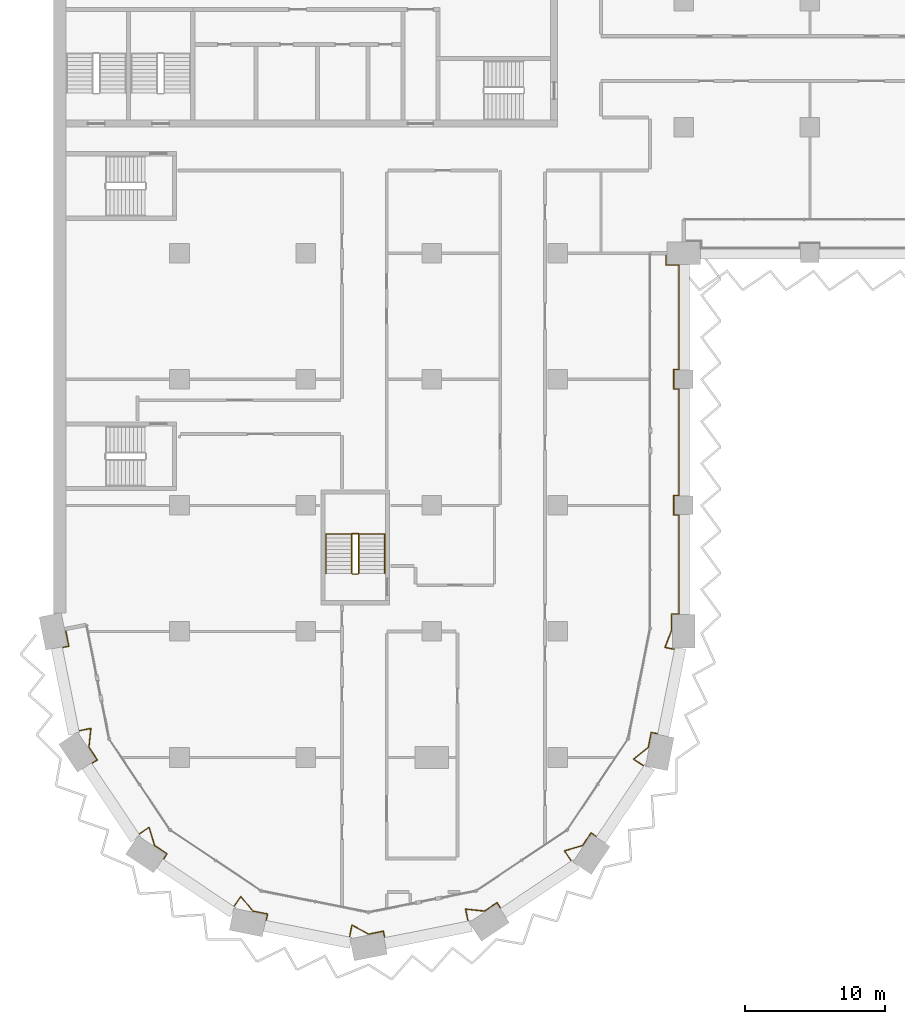
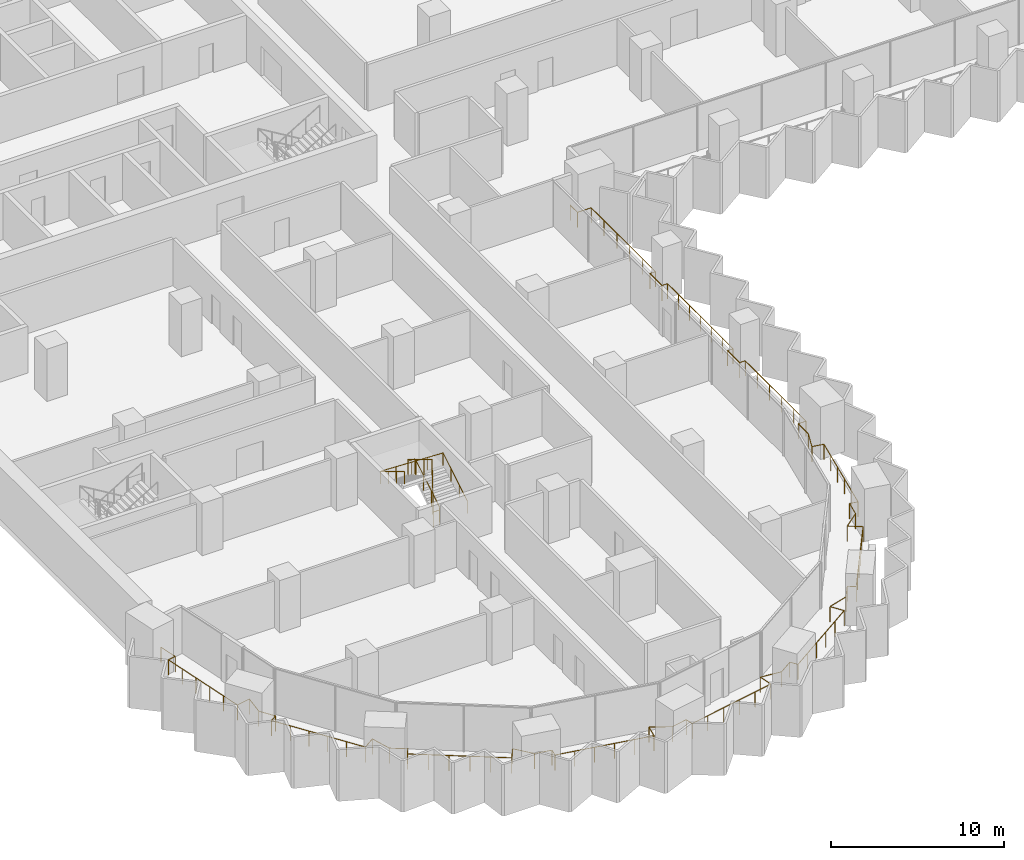
# One storey, part 24 of 28: 3 railings.
"""IFC4 building model written with IfcOpenShell, lengths in metres."""

from ifc_helpers import new_model, si_unit, direction, frame, origin, origin_2d, place, context, subcontext, project, spatial, circle, extrude, material, type_object, element, save


model = new_model("IFC4")

# Units and contexts
model_context = context("Model", 3, precision=1e-05, world=origin(), true_north=direction((0.0, 1.0)))
body_context = subcontext(model_context, "Body", "Model", "MODEL_VIEW")
ifc_project = project(units=[si_unit("LENGTHUNIT", "METRE"), si_unit("AREAUNIT", "SQUARE_METRE"), si_unit("VOLUMEUNIT", "CUBIC_METRE"), si_unit("PLANEANGLEUNIT", "RADIAN"), si_unit("MASSUNIT", "GRAM", prefix="KILO")], contexts=[model_context])

# Site, building, storey
site_placement = place(None, origin())
site = spatial("IfcSite", under=ifc_project, at=site_placement, CompositionType="ELEMENT")
building_placement = place(site_placement, origin())
building = spatial("IfcBuilding", under=site, at=building_placement, Name="Hunhe Ridgeline Campus", CompositionType="ELEMENT")
storey_placement = place(building_placement, frame((0.0, 0.0, 58.0)))
storey = spatial("IfcBuildingStorey", under=building, at=storey_placement, Name="L13", CompositionType="ELEMENT", Elevation=58.0)

# Railings
ifc_material_1 = material(Name="Steel Q355", Category="steel")
railing_type_1 = type_object("IfcRailingType", Name="Loggia guard 1100 Steel Q355", PredefinedType="GUARDRAIL", material=ifc_material_1)
railing_1_placement = place(storey_placement, frame((0.853271484375, 27.169677734375, 0.0)))
element("IfcRailing", 1, at=railing_1_placement, inside=storey, type_object=railing_type_1, Name="Loggia guard 1", PredefinedType="GUARDRAIL", context=body_context, shape_type="SweptSolid", body=[
    extrude(circle(Radius=0.02392578125, at=origin_2d()), frame((0.0, 0.0, 1.076171875), z_axis=(0.195139364365, -0.980775523999, 0.0), x_axis=(0.980775523999, 0.195139364365, 0.0)), (0.0, 0.0, 1.0), 1.249755859375),
    extrude(circle(Radius=0.02392578125, at=origin_2d()), frame((0.243896484375, -1.225830078125, 1.076171875), z_axis=(-0.980742851189, -0.195303506986, 0.0), x_axis=(0.195303506986, -0.980742851189, 0.0)), (0.0, 0.0, 1.0), 0.52001953125),
    extrude(circle(Radius=0.02392578125, at=origin_2d()), frame((-0.26611328125, -1.327392578125, 1.076171875), z_axis=(0.195094074844, -0.980784533912, 0.0), x_axis=(0.980784533912, 0.195094074844, 0.0)), (0.0, 0.0, 1.0), 6.064208984375),
    extrude(circle(Radius=0.02392578125, at=origin_2d()), frame((0.9169921875, -7.275146484375, 1.076171875), z_axis=(0.980774480174, 0.195144610585, 0.0), x_axis=(-0.195144610585, 0.980774480174, 0.0)), (0.0, 0.0, 1.0), 0.918212890625),
    extrude(circle(Radius=0.02392578125, at=origin_2d()), frame((1.817626953125, -7.095947265625, 1.076171875), z_axis=(-0.102578746514, -0.994724886973, 0.0), x_axis=(0.994724886973, -0.102578746514, 0.0)), (0.0, 0.0, 1.0), 1.351806640625),
    extrude(circle(Radius=0.02392578125, at=origin_2d()), frame((1.678955078125, -8.440673828125, 1.076171875), z_axis=(0.555693885997, -0.831386976724, 0.0), x_axis=(0.831386976724, 0.555693885997, 0.0)), (0.0, 0.0, 1.0), 1.076904296875),
    extrude(circle(Radius=0.02392578125, at=origin_2d()), frame((2.27734375, -9.3359375, 1.076171875), z_axis=(-0.831327417949, -0.555782982977, 0.0), x_axis=(0.555782982977, -0.831327417949, 0.0)), (0.0, 0.0, 1.0), 0.52001953125),
    extrude(circle(Radius=0.02392578125, at=origin_2d()), frame((1.844970703125, -9.625, 1.076171875), z_axis=(0.55557319973, -0.831467630002, 0.0), x_axis=(0.831467630002, 0.55557319973, 0.0)), (0.0, 0.0, 1.0), 6.064208984375),
    extrude(circle(Radius=0.02392578125, at=origin_2d()), frame((5.214111328125, -14.667236328125, 1.076171875), z_axis=(0.831395250422, 0.555681507318, 0.0), x_axis=(-0.555681507318, 0.831395250422, 0.0)), (0.0, 0.0, 1.0), 0.918212890625),
    extrude(circle(Radius=0.02392578125, at=origin_2d()), frame((5.9775390625, -14.156982421875, 1.076171875), z_axis=(0.285889499126, -0.958262591511, 0.0), x_axis=(0.958262591511, 0.285889499126, 0.0)), (0.0, 0.0, 1.0), 1.351806640625),
    extrude(circle(Radius=0.02392578125, at=origin_2d()), frame((6.364013671875, -15.452392578125, 1.076171875), z_axis=(0.831456967492, -0.555589156849, 0.0), x_axis=(0.555589156849, 0.831456967492, 0.0)), (0.0, 0.0, 1.0), 1.0771484375),
    extrude(circle(Radius=0.02392578125, at=origin_2d()), frame((7.259521484375, -16.05078125, 1.076171875), z_axis=(-0.555675381322, -0.831399344835, 0.0), x_axis=(0.831399344835, -0.555675381322, 0.0)), (0.0, 0.0, 1.0), 0.519775390625),
    extrude(circle(Radius=0.02392578125, at=origin_2d()), frame((6.970703125, -16.48291015625, 1.076171875), z_axis=(0.831467630002, -0.55557319973, 0.0), x_axis=(0.55557319973, 0.831467630002, 0.0)), (0.0, 0.0, 1.0), 6.064208984375),
    extrude(circle(Radius=0.02392578125, at=origin_2d()), frame((12.012939453125, -19.85205078125, 1.076171875), z_axis=(0.555497688072, 0.831518080709, 0.0), x_axis=(-0.831518080709, 0.555497688072, 0.0)), (0.0, 0.0, 1.0), 0.918212890625),
    extrude(circle(Radius=0.02392578125, at=origin_2d()), frame((12.52294921875, -19.088623046875, 1.076171875), z_axis=(0.630864561128, -0.775892972976, 0.0), x_axis=(0.775892972976, 0.630864561128, 0.0)), (0.0, 0.0, 1.0), 1.351806640625),
    extrude(circle(Radius=0.02392578125, at=origin_2d()), frame((13.375732421875, -20.137451171875, 1.076171875), z_axis=(0.980771998786, -0.195157081339, 0.0), x_axis=(0.195157081339, 0.980771998786, 0.0)), (0.0, 0.0, 1.0), 1.0771484375),
    extrude(circle(Radius=0.02392578125, at=origin_2d()), frame((14.43212890625, -20.34765625, 1.076171875), z_axis=(-0.195303506986, -0.980742851189, 0.0), x_axis=(0.980742851189, -0.195303506986, 0.0)), (0.0, 0.0, 1.0), 0.52001953125),
    extrude(circle(Radius=0.02392578125, at=origin_2d()), frame((14.33056640625, -20.857666015625, 1.076171875), z_axis=(0.980792236535, -0.195055347919, 0.0), x_axis=(0.195055347919, 0.980792236535, 0.0)), (0.0, 0.0, 1.0), 6.064208984375),
    extrude(circle(Radius=0.02392578125, at=origin_2d()), frame((20.2783203125, -22.04052734375, 1.076171875), z_axis=(0.195144610585, 0.980774480174, 0.0), x_axis=(-0.980774480174, 0.195144610585, 0.0)), (0.0, 0.0, 1.0), 0.918212890625),
    extrude(circle(Radius=0.02392578125, at=origin_2d()), frame((20.45751953125, -21.139892578125, 1.076171875), z_axis=(0.879704471732, -0.475520811757, 0.0), x_axis=(0.475520811757, 0.879704471732, 0.0)), (0.0, 0.0, 1.0), 1.351806640625),
    extrude(circle(Radius=0.02392578125, at=origin_2d()), frame((21.646728515625, -21.78271484375, 1.076171875), z_axis=(0.980763363144, 0.195200475189, 0.0), x_axis=(-0.195200475189, 0.980763363144, 0.0)), (0.0, 0.0, 1.0), 1.076904296875),
    extrude(circle(Radius=0.02392578125, at=origin_2d()), frame((22.702880859375, -21.572509765625, 1.076171875), z_axis=(0.195303506986, -0.980742851189, 0.0), x_axis=(0.980742851189, 0.195303506986, 0.0)), (0.0, 0.0, 1.0), 0.52001953125),
    extrude(circle(Radius=0.02392578125, at=origin_2d()), frame((22.804443359375, -22.08251953125, 1.076171875), z_axis=(0.980784533912, 0.195094074844, 0.0), x_axis=(-0.195094074844, 0.980784533912, 0.0)), (0.0, 0.0, 1.0), 6.064208984375),
    extrude(circle(Radius=0.02392578125, at=origin_2d()), frame((28.752197265625, -20.8994140625, 1.076171875), z_axis=(-0.195144610585, 0.980774480174, 0.0), x_axis=(-0.980774480174, -0.195144610585, 0.0)), (0.0, 0.0, 1.0), 0.918212890625),
    extrude(circle(Radius=0.02392578125, at=origin_2d()), frame((28.572998046875, -19.998779296875, 1.076171875), z_axis=(0.994724886973, -0.102578746514, 0.0), x_axis=(0.102578746514, 0.994724886973, 0.0)), (0.0, 0.0, 1.0), 1.351806640625),
    extrude(circle(Radius=0.02392578125, at=origin_2d()), frame((29.917724609375, -20.137451171875, 1.076171875), z_axis=(0.831386976724, 0.555693885997, 0.0), x_axis=(-0.555693885997, 0.831386976724, 0.0)), (0.0, 0.0, 1.0), 1.076904296875),
    extrude(circle(Radius=0.02392578125, at=origin_2d()), frame((30.81298828125, -19.5390625, 1.076171875), z_axis=(0.555782982977, -0.831327417949, 0.0), x_axis=(0.831327417949, 0.555782982977, 0.0)), (0.0, 0.0, 1.0), 0.52001953125),
    extrude(circle(Radius=0.02392578125, at=origin_2d()), frame((31.10205078125, -19.971435546875, 1.076171875), z_axis=(0.831467630002, 0.55557319973, 0.0), x_axis=(-0.55557319973, 0.831467630002, 0.0)), (0.0, 0.0, 1.0), 6.064208984375),
    extrude(circle(Radius=0.02392578125, at=origin_2d()), frame((36.144287109375, -16.602294921875, 1.076171875), z_axis=(-0.555681507318, 0.831395250422, 0.0), x_axis=(-0.831395250422, -0.555681507318, 0.0)), (0.0, 0.0, 1.0), 0.918212890625),
    extrude(circle(Radius=0.02392578125, at=origin_2d()), frame((35.634033203125, -15.8388671875, 1.076171875), z_axis=(0.958262591511, 0.285889499126, 0.0), x_axis=(-0.285889499126, 0.958262591511, 0.0)), (0.0, 0.0, 1.0), 1.351806640625),
    extrude(circle(Radius=0.02392578125, at=origin_2d()), frame((36.929443359375, -15.452392578125, 1.076171875), z_axis=(0.555589156849, 0.831456967492, 0.0), x_axis=(-0.831456967492, 0.555589156849, 0.0)), (0.0, 0.0, 1.0), 1.0771484375),
    extrude(circle(Radius=0.02392578125, at=origin_2d()), frame((37.52783203125, -14.556884765625, 1.076171875), z_axis=(0.831399344835, -0.555675381322, 0.0), x_axis=(0.555675381322, 0.831399344835, 0.0)), (0.0, 0.0, 1.0), 0.519775390625),
    extrude(circle(Radius=0.02392578125, at=origin_2d()), frame((37.9599609375, -14.845703125, 1.076171875), z_axis=(0.55557319973, 0.831467630002, 0.0), x_axis=(-0.831467630002, 0.55557319973, 0.0)), (0.0, 0.0, 1.0), 6.064208984375),
    extrude(circle(Radius=0.02392578125, at=origin_2d()), frame((41.3291015625, -9.803466796875, 1.076171875), z_axis=(-0.831518080709, 0.555497688072, 0.0), x_axis=(-0.555497688072, -0.831518080709, 0.0)), (0.0, 0.0, 1.0), 0.918212890625),
    extrude(circle(Radius=0.02392578125, at=origin_2d()), frame((40.565673828125, -9.29345703125, 1.076171875), z_axis=(0.775892972976, 0.630864561128, 0.0), x_axis=(-0.630864561128, 0.775892972976, 0.0)), (0.0, 0.0, 1.0), 1.351806640625),
    extrude(circle(Radius=0.02392578125, at=origin_2d()), frame((41.614501953125, -8.440673828125, 1.076171875), z_axis=(0.195157081339, 0.980771998786, 0.0), x_axis=(-0.980771998786, 0.195157081339, 0.0)), (0.0, 0.0, 1.0), 1.0771484375),
    extrude(circle(Radius=0.02392578125, at=origin_2d()), frame((41.82470703125, -7.38427734375, 1.076171875), z_axis=(0.980742851189, -0.195303506986, 0.0), x_axis=(0.195303506986, 0.980742851189, 0.0)), (0.0, 0.0, 1.0), 0.52001953125),
    extrude(circle(Radius=0.02392578125, at=origin_2d()), frame((42.334716796875, -7.48583984375, 1.076171875), z_axis=(0.19507712928, 0.980787904509, 0.0), x_axis=(-0.980787904509, 0.19507712928, 0.0)), (0.0, 0.0, 1.0), 6.146240234375),
    extrude(circle(Radius=0.02392578125, at=origin_2d()), frame((43.53369140625, -1.457763671875, 1.076171875), z_axis=(-0.980808789294, 0.194972097602, 0.0), x_axis=(-0.194972097602, -0.980808789294, 0.0)), (0.0, 0.0, 1.0), 0.73876953125),
    extrude(circle(Radius=0.02392578125, at=origin_2d()), frame((42.80908203125, -1.313720703125, 1.076171875), z_axis=(0.35537018301, 0.93472564586, 0.0), x_axis=(-0.93472564586, 0.35537018301, 0.0)), (0.0, 0.0, 1.0), 1.315673828125),
    extrude(circle(Radius=0.02392578125, at=origin_2d()), frame((43.276611328125, -0.083984375, 1.076171875), z_axis=(0.0, 1.0, 0.0), x_axis=(-1.0, 0.0, 0.0)), (0.0, 0.0, 1.0), 1.164306640625),
    extrude(circle(Radius=0.02392578125, at=origin_2d()), frame((43.276611328125, 1.080322265625, 1.076171875), z_axis=(1.0, 0.0, 0.0), x_axis=(0.0, 1.0, 0.0)), (0.0, 0.0, 1.0), 0.52001953125),
    extrude(circle(Radius=0.02392578125, at=origin_2d()), frame((43.796630859375, 1.080322265625, 1.076171875), z_axis=(0.0, 1.0, 0.0), x_axis=(-1.0, 0.0, 0.0)), (0.0, 0.0, 1.0), 7.050048828125),
    extrude(circle(Radius=0.02392578125, at=origin_2d()), frame((43.796630859375, 8.13037109375, 1.076171875), z_axis=(-1.0, 0.0, 0.0), x_axis=(0.0, -1.0, 0.0)), (0.0, 0.0, 1.0), 0.369873046875),
    extrude(circle(Radius=0.02392578125, at=origin_2d()), frame((43.4267578125, 8.13037109375, 1.076171875), z_axis=(0.0, 1.0, 0.0), x_axis=(-1.0, 0.0, 0.0)), (0.0, 0.0, 1.0), 1.39990234375),
    extrude(circle(Radius=0.02392578125, at=origin_2d()), frame((43.4267578125, 9.5302734375, 1.076171875), z_axis=(1.0, 0.0, 0.0), x_axis=(0.0, 1.0, 0.0)), (0.0, 0.0, 1.0), 0.369873046875),
    extrude(circle(Radius=0.02392578125, at=origin_2d()), frame((43.796630859375, 9.5302734375, 1.076171875), z_axis=(0.0, 1.0, 0.0), x_axis=(-1.0, 0.0, 0.0)), (0.0, 0.0, 1.0), 7.60009765625),
    extrude(circle(Radius=0.02392578125, at=origin_2d()), frame((43.796630859375, 17.13037109375, 1.076171875), z_axis=(-1.0, 0.0, 0.0), x_axis=(0.0, -1.0, 0.0)), (0.0, 0.0, 1.0), 0.369873046875),
    extrude(circle(Radius=0.02392578125, at=origin_2d()), frame((43.4267578125, 17.13037109375, 1.076171875), z_axis=(0.0, 1.0, 0.0), x_axis=(-1.0, 0.0, 0.0)), (0.0, 0.0, 1.0), 1.39990234375),
    extrude(circle(Radius=0.02392578125, at=origin_2d()), frame((43.4267578125, 18.5302734375, 1.076171875), z_axis=(1.0, 0.0, 0.0), x_axis=(0.0, 1.0, 0.0)), (0.0, 0.0, 1.0), 0.369873046875),
    extrude(circle(Radius=0.02392578125, at=origin_2d()), frame((43.796630859375, 18.5302734375, 1.076171875), z_axis=(0.0, 1.0, 0.0), x_axis=(-1.0, 0.0, 0.0)), (0.0, 0.0, 1.0), 7.449951171875),
    extrude(circle(Radius=0.02392578125, at=origin_2d()), frame((43.796630859375, 25.980224609375, 1.076171875), z_axis=(-1.0, 0.0, 0.0), x_axis=(0.0, -1.0, 0.0)), (0.0, 0.0, 1.0), 0.919921875),
    extrude(circle(Radius=0.02392578125, at=origin_2d()), frame((42.876708984375, 25.980224609375, 1.076171875), z_axis=(0.0, 1.0, 0.0), x_axis=(-1.0, 0.0, 0.0)), (0.0, 0.0, 1.0), 0.85009765625),
    extrude(circle(Radius=0.02099609375, at=origin_2d()), origin(), (0.0, 0.0, 1.0), 1.052001953125),
    extrude(circle(Radius=0.02099609375, at=origin_2d()), frame((0.243896484375, -1.225830078125, 0.0)), (0.0, 0.0, 1.0), 1.052001953125),
    extrude(circle(Radius=0.02099609375, at=origin_2d()), frame((-0.26611328125, -1.327392578125, 0.0)), (0.0, 0.0, 1.0), 1.052001953125),
    extrude(circle(Radius=0.02099609375, at=origin_2d()), frame((-0.029541015625, -2.516845703125, 0.0)), (0.0, 0.0, 1.0), 1.052001953125),
    extrude(circle(Radius=0.02099609375, at=origin_2d()), frame((0.20703125, -3.70654296875, 0.0)), (0.0, 0.0, 1.0), 1.052001953125),
    extrude(circle(Radius=0.02099609375, at=origin_2d()), frame((0.44384765625, -4.89599609375, 0.0)), (0.0, 0.0, 1.0), 1.052001953125),
    extrude(circle(Radius=0.02099609375, at=origin_2d()), frame((0.680419921875, -6.085693359375, 0.0)), (0.0, 0.0, 1.0), 1.052001953125),
    extrude(circle(Radius=0.02099609375, at=origin_2d()), frame((0.9169921875, -7.275146484375, 0.0)), (0.0, 0.0, 1.0), 1.052001953125),
    extrude(circle(Radius=0.02099609375, at=origin_2d()), frame((1.817626953125, -7.095947265625, 0.0)), (0.0, 0.0, 1.0), 1.052001953125),
    extrude(circle(Radius=0.02099609375, at=origin_2d()), frame((1.678955078125, -8.440673828125, 0.0)), (0.0, 0.0, 1.0), 1.052001953125),
    extrude(circle(Radius=0.02099609375, at=origin_2d()), frame((2.27734375, -9.3359375, 0.0)), (0.0, 0.0, 1.0), 1.052001953125),
    extrude(circle(Radius=0.02099609375, at=origin_2d()), frame((1.844970703125, -9.625, 0.0)), (0.0, 0.0, 1.0), 1.052001953125),
    extrude(circle(Radius=0.02099609375, at=origin_2d()), frame((2.518798828125, -10.633544921875, 0.0)), (0.0, 0.0, 1.0), 1.052001953125),
    extrude(circle(Radius=0.02099609375, at=origin_2d()), frame((3.192626953125, -11.641845703125, 0.0)), (0.0, 0.0, 1.0), 1.052001953125),
    extrude(circle(Radius=0.02099609375, at=origin_2d()), frame((3.866455078125, -12.650390625, 0.0)), (0.0, 0.0, 1.0), 1.052001953125),
    extrude(circle(Radius=0.02099609375, at=origin_2d()), frame((4.540283203125, -13.65869140625, 0.0)), (0.0, 0.0, 1.0), 1.052001953125),
    extrude(circle(Radius=0.02099609375, at=origin_2d()), frame((5.214111328125, -14.667236328125, 0.0)), (0.0, 0.0, 1.0), 1.052001953125),
    extrude(circle(Radius=0.02099609375, at=origin_2d()), frame((5.9775390625, -14.156982421875, 0.0)), (0.0, 0.0, 1.0), 1.052001953125),
    extrude(circle(Radius=0.02099609375, at=origin_2d()), frame((6.364013671875, -15.452392578125, 0.0)), (0.0, 0.0, 1.0), 1.052001953125),
    extrude(circle(Radius=0.02099609375, at=origin_2d()), frame((7.259521484375, -16.05078125, 0.0)), (0.0, 0.0, 1.0), 1.052001953125),
    extrude(circle(Radius=0.02099609375, at=origin_2d()), frame((6.970703125, -16.48291015625, 0.0)), (0.0, 0.0, 1.0), 1.052001953125),
    extrude(circle(Radius=0.02099609375, at=origin_2d()), frame((7.979248046875, -17.15673828125, 0.0)), (0.0, 0.0, 1.0), 1.052001953125),
    extrude(circle(Radius=0.02099609375, at=origin_2d()), frame((8.987548828125, -17.83056640625, 0.0)), (0.0, 0.0, 1.0), 1.052001953125),
    extrude(circle(Radius=0.02099609375, at=origin_2d()), frame((9.99609375, -18.50439453125, 0.0)), (0.0, 0.0, 1.0), 1.052001953125),
    extrude(circle(Radius=0.02099609375, at=origin_2d()), frame((11.00439453125, -19.17822265625, 0.0)), (0.0, 0.0, 1.0), 1.052001953125),
    extrude(circle(Radius=0.02099609375, at=origin_2d()), frame((12.012939453125, -19.85205078125, 0.0)), (0.0, 0.0, 1.0), 1.052001953125),
    extrude(circle(Radius=0.02099609375, at=origin_2d()), frame((12.52294921875, -19.088623046875, 0.0)), (0.0, 0.0, 1.0), 1.052001953125),
    extrude(circle(Radius=0.02099609375, at=origin_2d()), frame((13.375732421875, -20.137451171875, 0.0)), (0.0, 0.0, 1.0), 1.052001953125),
    extrude(circle(Radius=0.02099609375, at=origin_2d()), frame((14.43212890625, -20.34765625, 0.0)), (0.0, 0.0, 1.0), 1.052001953125),
    extrude(circle(Radius=0.02099609375, at=origin_2d()), frame((14.33056640625, -20.857666015625, 0.0)), (0.0, 0.0, 1.0), 1.052001953125),
    extrude(circle(Radius=0.02099609375, at=origin_2d()), frame((15.52001953125, -21.09423828125, 0.0)), (0.0, 0.0, 1.0), 1.052001953125),
    extrude(circle(Radius=0.02099609375, at=origin_2d()), frame((16.709716796875, -21.330810546875, 0.0)), (0.0, 0.0, 1.0), 1.052001953125),
    extrude(circle(Radius=0.02099609375, at=origin_2d()), frame((17.899169921875, -21.5673828125, 0.0)), (0.0, 0.0, 1.0), 1.052001953125),
    extrude(circle(Radius=0.02099609375, at=origin_2d()), frame((19.0888671875, -21.803955078125, 0.0)), (0.0, 0.0, 1.0), 1.052001953125),
    extrude(circle(Radius=0.02099609375, at=origin_2d()), frame((20.2783203125, -22.04052734375, 0.0)), (0.0, 0.0, 1.0), 1.052001953125),
    extrude(circle(Radius=0.02099609375, at=origin_2d()), frame((20.45751953125, -21.139892578125, 0.0)), (0.0, 0.0, 1.0), 1.052001953125),
    extrude(circle(Radius=0.02099609375, at=origin_2d()), frame((21.646728515625, -21.78271484375, 0.0)), (0.0, 0.0, 1.0), 1.052001953125),
    extrude(circle(Radius=0.02099609375, at=origin_2d()), frame((22.702880859375, -21.572509765625, 0.0)), (0.0, 0.0, 1.0), 1.052001953125),
    extrude(circle(Radius=0.02099609375, at=origin_2d()), frame((22.804443359375, -22.08251953125, 0.0)), (0.0, 0.0, 1.0), 1.052001953125),
    extrude(circle(Radius=0.02099609375, at=origin_2d()), frame((23.993896484375, -21.845947265625, 0.0)), (0.0, 0.0, 1.0), 1.052001953125),
    extrude(circle(Radius=0.02099609375, at=origin_2d()), frame((25.18359375, -21.609375, 0.0)), (0.0, 0.0, 1.0), 1.052001953125),
    extrude(circle(Radius=0.02099609375, at=origin_2d()), frame((26.373046875, -21.37255859375, 0.0)), (0.0, 0.0, 1.0), 1.052001953125),
    extrude(circle(Radius=0.02099609375, at=origin_2d()), frame((27.562744140625, -21.135986328125, 0.0)), (0.0, 0.0, 1.0), 1.052001953125),
    extrude(circle(Radius=0.02099609375, at=origin_2d()), frame((28.752197265625, -20.8994140625, 0.0)), (0.0, 0.0, 1.0), 1.052001953125),
    extrude(circle(Radius=0.02099609375, at=origin_2d()), frame((28.572998046875, -19.998779296875, 0.0)), (0.0, 0.0, 1.0), 1.052001953125),
    extrude(circle(Radius=0.02099609375, at=origin_2d()), frame((29.917724609375, -20.137451171875, 0.0)), (0.0, 0.0, 1.0), 1.052001953125),
    extrude(circle(Radius=0.02099609375, at=origin_2d()), frame((30.81298828125, -19.5390625, 0.0)), (0.0, 0.0, 1.0), 1.052001953125),
    extrude(circle(Radius=0.02099609375, at=origin_2d()), frame((31.10205078125, -19.971435546875, 0.0)), (0.0, 0.0, 1.0), 1.052001953125),
    extrude(circle(Radius=0.02099609375, at=origin_2d()), frame((32.110595703125, -19.297607421875, 0.0)), (0.0, 0.0, 1.0), 1.052001953125),
    extrude(circle(Radius=0.02099609375, at=origin_2d()), frame((33.118896484375, -18.623779296875, 0.0)), (0.0, 0.0, 1.0), 1.052001953125),
    extrude(circle(Radius=0.02099609375, at=origin_2d()), frame((34.12744140625, -17.949951171875, 0.0)), (0.0, 0.0, 1.0), 1.052001953125),
    extrude(circle(Radius=0.02099609375, at=origin_2d()), frame((35.1357421875, -17.276123046875, 0.0)), (0.0, 0.0, 1.0), 1.052001953125),
    extrude(circle(Radius=0.02099609375, at=origin_2d()), frame((36.144287109375, -16.602294921875, 0.0)), (0.0, 0.0, 1.0), 1.052001953125),
    extrude(circle(Radius=0.02099609375, at=origin_2d()), frame((35.634033203125, -15.8388671875, 0.0)), (0.0, 0.0, 1.0), 1.052001953125),
    extrude(circle(Radius=0.02099609375, at=origin_2d()), frame((36.929443359375, -15.452392578125, 0.0)), (0.0, 0.0, 1.0), 1.052001953125),
    extrude(circle(Radius=0.02099609375, at=origin_2d()), frame((37.52783203125, -14.556884765625, 0.0)), (0.0, 0.0, 1.0), 1.052001953125),
    extrude(circle(Radius=0.02099609375, at=origin_2d()), frame((37.9599609375, -14.845703125, 0.0)), (0.0, 0.0, 1.0), 1.052001953125),
    extrude(circle(Radius=0.02099609375, at=origin_2d()), frame((38.6337890625, -13.837158203125, 0.0)), (0.0, 0.0, 1.0), 1.052001953125),
    extrude(circle(Radius=0.02099609375, at=origin_2d()), frame((39.3076171875, -12.828857421875, 0.0)), (0.0, 0.0, 1.0), 1.052001953125),
    extrude(circle(Radius=0.02099609375, at=origin_2d()), frame((39.9814453125, -11.8203125, 0.0)), (0.0, 0.0, 1.0), 1.052001953125),
    extrude(circle(Radius=0.02099609375, at=origin_2d()), frame((40.6552734375, -10.81201171875, 0.0)), (0.0, 0.0, 1.0), 1.052001953125),
    extrude(circle(Radius=0.02099609375, at=origin_2d()), frame((41.3291015625, -9.803466796875, 0.0)), (0.0, 0.0, 1.0), 1.052001953125),
    extrude(circle(Radius=0.02099609375, at=origin_2d()), frame((40.565673828125, -9.29345703125, 0.0)), (0.0, 0.0, 1.0), 1.052001953125),
    extrude(circle(Radius=0.02099609375, at=origin_2d()), frame((41.614501953125, -8.440673828125, 0.0)), (0.0, 0.0, 1.0), 1.052001953125),
    extrude(circle(Radius=0.02099609375, at=origin_2d()), frame((41.82470703125, -7.38427734375, 0.0)), (0.0, 0.0, 1.0), 1.052001953125),
    extrude(circle(Radius=0.02099609375, at=origin_2d()), frame((42.334716796875, -7.48583984375, 0.0)), (0.0, 0.0, 1.0), 1.052001953125),
    extrude(circle(Radius=0.02099609375, at=origin_2d()), frame((42.574462890625, -6.2802734375, 0.0)), (0.0, 0.0, 1.0), 1.052001953125),
    extrude(circle(Radius=0.02099609375, at=origin_2d()), frame((42.814208984375, -5.07470703125, 0.0)), (0.0, 0.0, 1.0), 1.052001953125),
    extrude(circle(Radius=0.02099609375, at=origin_2d()), frame((43.05419921875, -3.868896484375, 0.0)), (0.0, 0.0, 1.0), 1.052001953125),
    extrude(circle(Radius=0.02099609375, at=origin_2d()), frame((43.2939453125, -2.663330078125, 0.0)), (0.0, 0.0, 1.0), 1.052001953125),
    extrude(circle(Radius=0.02099609375, at=origin_2d()), frame((43.53369140625, -1.457763671875, 0.0)), (0.0, 0.0, 1.0), 1.052001953125),
    extrude(circle(Radius=0.02099609375, at=origin_2d()), frame((42.80908203125, -1.313720703125, 0.0)), (0.0, 0.0, 1.0), 1.052001953125),
    extrude(circle(Radius=0.02099609375, at=origin_2d()), frame((43.276611328125, -0.083984375, 0.0)), (0.0, 0.0, 1.0), 1.052001953125),
    extrude(circle(Radius=0.02099609375, at=origin_2d()), frame((43.276611328125, 1.080322265625, 0.0)), (0.0, 0.0, 1.0), 1.052001953125),
    extrude(circle(Radius=0.02099609375, at=origin_2d()), frame((43.796630859375, 1.080322265625, 0.0)), (0.0, 0.0, 1.0), 1.052001953125),
    extrude(circle(Radius=0.02099609375, at=origin_2d()), frame((43.796630859375, 2.490234375, 0.0)), (0.0, 0.0, 1.0), 1.052001953125),
    extrude(circle(Radius=0.02099609375, at=origin_2d()), frame((43.796630859375, 3.900390625, 0.0)), (0.0, 0.0, 1.0), 1.052001953125),
    extrude(circle(Radius=0.02099609375, at=origin_2d()), frame((43.796630859375, 5.310302734375, 0.0)), (0.0, 0.0, 1.0), 1.052001953125),
    extrude(circle(Radius=0.02099609375, at=origin_2d()), frame((43.796630859375, 6.720458984375, 0.0)), (0.0, 0.0, 1.0), 1.052001953125),
    extrude(circle(Radius=0.02099609375, at=origin_2d()), frame((43.796630859375, 8.13037109375, 0.0)), (0.0, 0.0, 1.0), 1.052001953125),
    extrude(circle(Radius=0.02099609375, at=origin_2d()), frame((43.4267578125, 8.13037109375, 0.0)), (0.0, 0.0, 1.0), 1.052001953125),
    extrude(circle(Radius=0.02099609375, at=origin_2d()), frame((43.4267578125, 9.5302734375, 0.0)), (0.0, 0.0, 1.0), 1.052001953125),
    extrude(circle(Radius=0.02099609375, at=origin_2d()), frame((43.796630859375, 9.5302734375, 0.0)), (0.0, 0.0, 1.0), 1.052001953125),
    extrude(circle(Radius=0.02099609375, at=origin_2d()), frame((43.796630859375, 10.796875, 0.0)), (0.0, 0.0, 1.0), 1.052001953125),
    extrude(circle(Radius=0.02099609375, at=origin_2d()), frame((43.796630859375, 12.063720703125, 0.0)), (0.0, 0.0, 1.0), 1.052001953125),
    extrude(circle(Radius=0.02099609375, at=origin_2d()), frame((43.796630859375, 13.330322265625, 0.0)), (0.0, 0.0, 1.0), 1.052001953125),
    extrude(circle(Radius=0.02099609375, at=origin_2d()), frame((43.796630859375, 14.596923828125, 0.0)), (0.0, 0.0, 1.0), 1.052001953125),
    extrude(circle(Radius=0.02099609375, at=origin_2d()), frame((43.796630859375, 15.86376953125, 0.0)), (0.0, 0.0, 1.0), 1.052001953125),
    extrude(circle(Radius=0.02099609375, at=origin_2d()), frame((43.796630859375, 17.13037109375, 0.0)), (0.0, 0.0, 1.0), 1.052001953125),
    extrude(circle(Radius=0.02099609375, at=origin_2d()), frame((43.4267578125, 17.13037109375, 0.0)), (0.0, 0.0, 1.0), 1.052001953125),
    extrude(circle(Radius=0.02099609375, at=origin_2d()), frame((43.4267578125, 18.5302734375, 0.0)), (0.0, 0.0, 1.0), 1.052001953125),
    extrude(circle(Radius=0.02099609375, at=origin_2d()), frame((43.796630859375, 18.5302734375, 0.0)), (0.0, 0.0, 1.0), 1.052001953125),
    extrude(circle(Radius=0.02099609375, at=origin_2d()), frame((43.796630859375, 20.020263671875, 0.0)), (0.0, 0.0, 1.0), 1.052001953125),
    extrude(circle(Radius=0.02099609375, at=origin_2d()), frame((43.796630859375, 21.51025390625, 0.0)), (0.0, 0.0, 1.0), 1.052001953125),
    extrude(circle(Radius=0.02099609375, at=origin_2d()), frame((43.796630859375, 23.000244140625, 0.0)), (0.0, 0.0, 1.0), 1.052001953125),
    extrude(circle(Radius=0.02099609375, at=origin_2d()), frame((43.796630859375, 24.490234375, 0.0)), (0.0, 0.0, 1.0), 1.052001953125),
    extrude(circle(Radius=0.02099609375, at=origin_2d()), frame((43.796630859375, 25.980224609375, 0.0)), (0.0, 0.0, 1.0), 1.052001953125),
    extrude(circle(Radius=0.02099609375, at=origin_2d()), frame((42.876708984375, 25.980224609375, 0.0)), (0.0, 0.0, 1.0), 1.052001953125),
    extrude(circle(Radius=0.02099609375, at=origin_2d()), frame((42.876708984375, 26.830322265625, 0.0)), (0.0, 0.0, 1.0), 1.052001953125),
])
ifc_material_2 = material(Name="Stainless steel balustrade", Category="steel")
railing_type_2 = type_object("IfcRailingType", Name="Stair guard 1100 stainless", PredefinedType="GUARDRAIL", material=ifc_material_2)
railing_2_placement = place(storey_placement, frame((21.800048828125, 31.14990234375, 0.168212890625)))
element("IfcRailing", 2, at=railing_2_placement, inside=storey, type_object=railing_type_2, Name="L13 stair W3 guard", PredefinedType="GUARDRAIL", context=body_context, shape_type="SweptSolid", body=[
    extrude(circle(Radius=0.02392578125, at=origin_2d()), frame((0.0, 0.0, 1.076171875), z_axis=(0.0, 0.857242210791, 0.514913383045), x_axis=(-1.0, 0.0, 0.0)), (0.0, 0.0, 1.0), 3.266357421875),
    extrude(circle(Radius=0.02392578125, at=origin_2d()), frame((0.0, 2.800048828125, 2.7578125), z_axis=(-0.707106781187, 0.707106781187, 0.0), x_axis=(-0.707106781187, -0.707106781187, 0.0)), (0.0, 0.0, 1.0), 0.07080078125),
    extrude(circle(Radius=0.02392578125, at=origin_2d()), frame((-0.050048828125, 2.85009765625, 2.7578125), z_axis=(-1.0, 0.0, 0.0), x_axis=(0.0, -1.0, 0.0)), (0.0, 0.0, 1.0), 0.39990234375),
    extrude(circle(Radius=0.02392578125, at=origin_2d()), frame((-0.449951171875, 2.85009765625, 2.7578125), z_axis=(-0.274582412415, -0.274582412415, 0.921525364591), x_axis=(0.707106781187, -0.707106781187, 0.0)), (0.0, 0.0, 1.0), 0.182373046875),
    extrude(circle(Radius=0.02392578125, at=origin_2d()), frame((-0.5, 2.800048828125, 2.92578125), z_axis=(0.0, -0.857242210791, 0.514913383045), x_axis=(1.0, 0.0, 0.0)), (0.0, 0.0, 1.0), 3.266357421875),
    extrude(circle(Radius=0.02392578125, at=origin_2d()), frame((-0.5, 0.0, 4.60791015625), z_axis=(0.013524426427, -0.013458453615, -0.999817963389), x_axis=(0.705375805398, 0.708833529934, 0.0)), (0.0, 0.0, 1.0), 3.70068359375),
    extrude(circle(Radius=0.02392578125, at=origin_2d()), frame((-0.449951171875, -0.0498046875, 0.90771484375), z_axis=(1.0, 0.0, 0.0), x_axis=(0.0, 1.0, 0.0)), (0.0, 0.0, 1.0), 0.39990234375),
    extrude(circle(Radius=0.02099609375, at=origin_2d()), origin(), (0.0, 0.0, 1.0), 1.052001953125),
    extrude(circle(Radius=0.02099609375, at=origin_2d()), frame((0.0, 0.933349609375, 0.560546875)), (0.0, 0.0, 1.0), 1.052001953125),
    extrude(circle(Radius=0.02099609375, at=origin_2d()), frame((0.0, 1.86669921875, 1.121337890625)), (0.0, 0.0, 1.0), 1.052001953125),
    extrude(circle(Radius=0.02099609375, at=origin_2d()), frame((0.0, 2.800048828125, 1.681884765625)), (0.0, 0.0, 1.0), 1.052001953125),
    extrude(circle(Radius=0.02099609375, at=origin_2d()), frame((-0.050048828125, 2.85009765625, 1.681884765625)), (0.0, 0.0, 1.0), 1.052001953125),
    extrude(circle(Radius=0.02099609375, at=origin_2d()), frame((-0.449951171875, 2.85009765625, 1.681884765625)), (0.0, 0.0, 1.0), 1.052001953125),
    extrude(circle(Radius=0.02099609375, at=origin_2d()), frame((-0.5, 2.800048828125, 1.849853515625)), (0.0, 0.0, 1.0), 1.052001953125),
    extrude(circle(Radius=0.02099609375, at=origin_2d()), frame((-0.5, 1.86669921875, 2.410400390625)), (0.0, 0.0, 1.0), 1.052001953125),
    extrude(circle(Radius=0.02099609375, at=origin_2d()), frame((-0.5, 0.933349609375, 2.97119140625)), (0.0, 0.0, 1.0), 1.052001953125),
    extrude(circle(Radius=0.02099609375, at=origin_2d()), frame((-0.5, 0.0, 3.53173828125)), (0.0, 0.0, 1.0), 1.052001953125),
    extrude(circle(Radius=0.02099609375, at=origin_2d()), frame((-0.487548828125, -0.012451171875, 2.606689453125)), (0.0, 0.0, 1.0), 1.052001953125),
    extrude(circle(Radius=0.02099609375, at=origin_2d()), frame((-0.47509765625, -0.02490234375, 1.681640625)), (0.0, 0.0, 1.0), 1.052001953125),
    extrude(circle(Radius=0.02099609375, at=origin_2d()), frame((-0.46240234375, -0.037353515625, 0.7568359375)), (0.0, 0.0, 1.0), 1.052001953125),
    extrude(circle(Radius=0.02099609375, at=origin_2d()), frame((-0.449951171875, -0.0498046875, -0.168212890625)), (0.0, 0.0, 1.0), 1.052001953125),
    extrude(circle(Radius=0.02099609375, at=origin_2d()), frame((-0.050048828125, -0.0498046875, -0.168212890625)), (0.0, 0.0, 1.0), 1.052001953125),
])
ifc_material_3 = material(Name="Stainless steel handrail", Category="steel")
railing_type_3 = type_object("IfcRailingType", Name="Stair handrail 900 stainless", PredefinedType="HANDRAIL", material=ifc_material_3)
railing_3_placement = place(storey_placement, frame((23.64990234375, 31.14990234375, 0.168212890625)))
element("IfcRailing", 3, at=railing_3_placement, inside=storey, type_object=railing_type_3, Name="L13 stair W3 handrail", PredefinedType="HANDRAIL", context=body_context, shape_type="SweptSolid", body=[
    extrude(circle(Radius=0.02392578125, at=origin_2d()), frame((0.0, 0.0, 0.8759765625), z_axis=(0.0, 0.857242210791, 0.514913383045), x_axis=(-1.0, 0.0, 0.0)), (0.0, 0.0, 1.0), 3.266357421875),
    extrude(circle(Radius=0.02392578125, at=origin_2d()), frame((0.0, 2.800048828125, 2.5576171875), z_axis=(-0.99920123705, 0.0, 0.039961079526), x_axis=(0.0, -1.0, 0.0)), (0.0, 0.0, 1.0), 4.203369140625),
    extrude(circle(Radius=0.02392578125, at=origin_2d()), frame((-4.199951171875, 2.800048828125, 2.7255859375), z_axis=(0.0, -0.857242210791, 0.514913383045), x_axis=(1.0, 0.0, 0.0)), (0.0, 0.0, 1.0), 3.266357421875),
    extrude(circle(Radius=0.02099609375, at=origin_2d()), origin(), (0.0, 0.0, 1.0), 0.851806640625),
    extrude(circle(Radius=0.02099609375, at=origin_2d()), frame((0.0, 0.933349609375, 0.560546875)), (0.0, 0.0, 1.0), 0.851806640625),
    extrude(circle(Radius=0.02099609375, at=origin_2d()), frame((0.0, 1.86669921875, 1.121337890625)), (0.0, 0.0, 1.0), 0.851806640625),
    extrude(circle(Radius=0.02099609375, at=origin_2d()), frame((0.0, 2.800048828125, 1.681884765625)), (0.0, 0.0, 1.0), 0.851806640625),
    extrude(circle(Radius=0.02099609375, at=origin_2d()), frame((-1.050048828125, 2.800048828125, 1.723876953125)), (0.0, 0.0, 1.0), 0.851806640625),
    extrude(circle(Radius=0.02099609375, at=origin_2d()), frame((-2.10009765625, 2.800048828125, 1.765869140625)), (0.0, 0.0, 1.0), 0.851806640625),
    extrude(circle(Radius=0.02099609375, at=origin_2d()), frame((-3.14990234375, 2.800048828125, 1.807861328125)), (0.0, 0.0, 1.0), 0.851806640625),
    extrude(circle(Radius=0.02099609375, at=origin_2d()), frame((-4.199951171875, 2.800048828125, 1.849853515625)), (0.0, 0.0, 1.0), 0.851806640625),
    extrude(circle(Radius=0.02099609375, at=origin_2d()), frame((-4.199951171875, 1.86669921875, 2.410400390625)), (0.0, 0.0, 1.0), 0.851806640625),
    extrude(circle(Radius=0.02099609375, at=origin_2d()), frame((-4.199951171875, 0.933349609375, 2.97119140625)), (0.0, 0.0, 1.0), 0.851806640625),
    extrude(circle(Radius=0.02099609375, at=origin_2d()), frame((-4.199951171875, 0.0, 3.53173828125)), (0.0, 0.0, 1.0), 0.851806640625),
])

save(model, "model.ifc")
